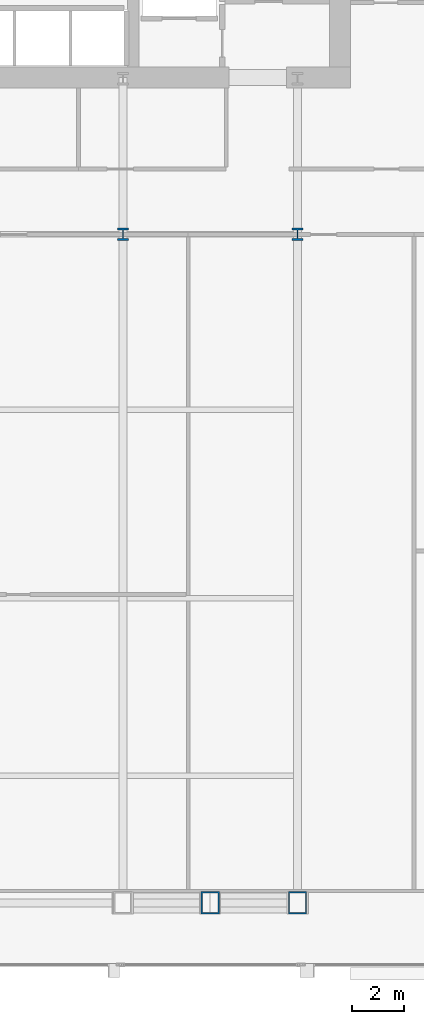
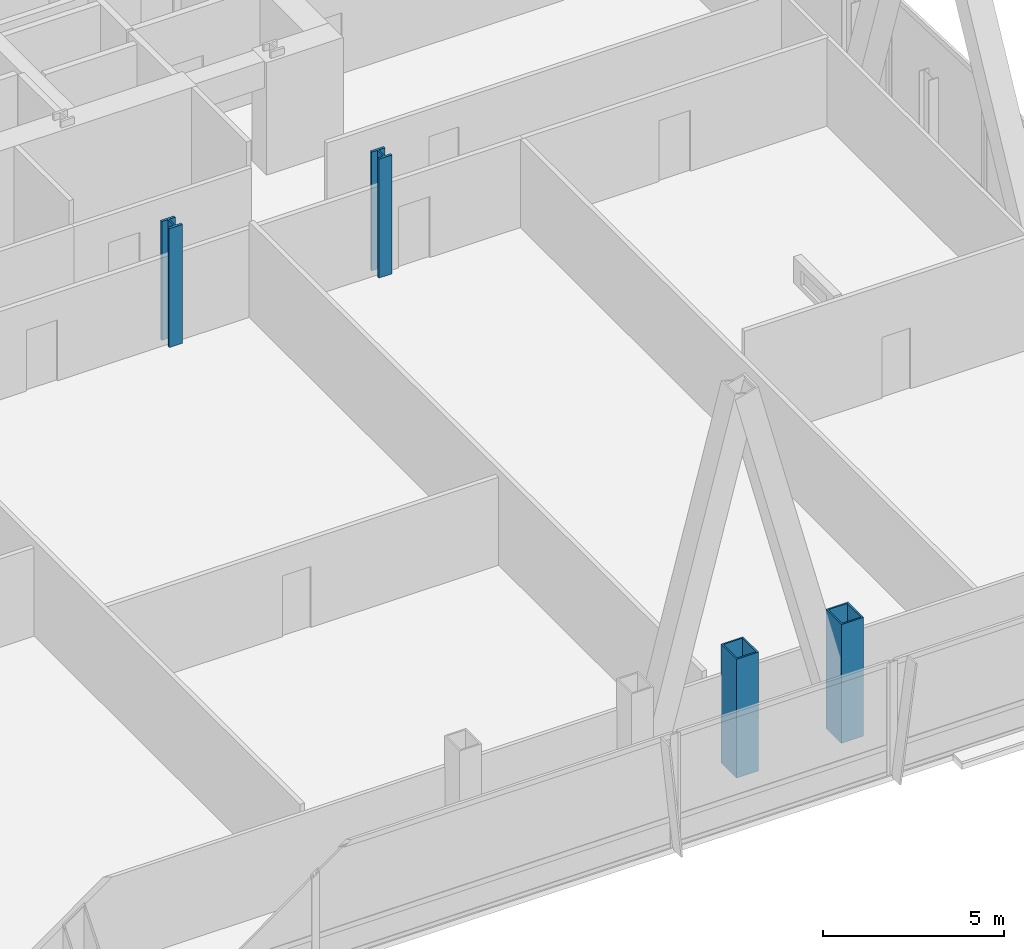
# One storey, part 2 of 32: 4 columns.
"""IFC4 building model written with IfcOpenShell, lengths in metres."""

from ifc_helpers import new_model, si_unit, direction, frame, origin, origin_2d, place, context, subcontext, project, spatial, hollow_rectangle, i_section, extrude, material, material_profile, profile_set, type_object, element, save


model = new_model("IFC4")

# Units and contexts
model_context = context("Model", 3, precision=1e-05, world=origin(), true_north=direction((0.0, 1.0)))
body_context = subcontext(model_context, "Body", "Model", "MODEL_VIEW")
ifc_project = project(units=[si_unit("LENGTHUNIT", "METRE"), si_unit("AREAUNIT", "SQUARE_METRE"), si_unit("VOLUMEUNIT", "CUBIC_METRE"), si_unit("PLANEANGLEUNIT", "RADIAN"), si_unit("MASSUNIT", "GRAM", prefix="KILO")], contexts=[model_context])

# Site, building, storey
site_placement = place(None, origin())
site = spatial("IfcSite", under=ifc_project, at=site_placement, CompositionType="ELEMENT")
building_placement = place(site_placement, origin())
building = spatial("IfcBuilding", under=site, at=building_placement, Name="Khoronbel Lancet Exchange", CompositionType="ELEMENT")
storey_placement = place(building_placement, frame((0.0, 0.0, 81.800048828125)))
storey = spatial("IfcBuildingStorey", under=building, at=storey_placement, Name="L19", CompositionType="ELEMENT", Elevation=81.800048828125)

# Columns
ifc_material = material(Name="Steel S460", Category="steel")
ifc_material_profile_1 = material_profile(ifc_material, hollow_rectangle(XDim=0.699951171875, YDim=0.85009765625, WallThickness=0.050048828125, at=origin_2d()), Name="BOX 850x700x50")
ifc_profile_set_1 = profile_set([ifc_material_profile_1], Name="Steel S460")
column_type_1 = type_object("IfcColumnType", Name="COL-EC2", PredefinedType="COLUMN", material=ifc_profile_set_1)
for number, where, z_axis, x_axis, name in (
    (1, (51.33740234375, 10.14990234375, 0.0), (0.0, 0.0, 1.0), (1.0, 0.0, 0.0), "Structural column SC-EM L19"),
    (2, (54.675048828125, 10.14990234375, 0.0), (0.0, 0.0, 1.0), (1.0, 0.0, 0.0), "Structural column SC-E2 L19"),
):
    element("IfcColumn", number, at=place(storey_placement, frame(where, z_axis=z_axis, x_axis=x_axis)), inside=storey, type_object=column_type_1, Name=name, PredefinedType="COLUMN", context=body_context, shape_type="SweptSolid", body=[
        extrude(hollow_rectangle(XDim=0.699951171875, YDim=0.85009765625, WallThickness=0.050048828125, at=origin_2d()), origin(), (0.0, 0.0, 1.0), 4.0),
    ])
ifc_material_profile_2 = material_profile(ifc_material, i_section(OverallWidth=0.424072265625, OverallDepth=0.47412109375, WebThickness=0.047607421875, FlangeThickness=0.076904296875, at=origin_2d()), Name="HD 400x634")
ifc_profile_set_2 = profile_set([ifc_material_profile_2], Name="Steel S460")
column_type_2 = type_object("IfcColumnType", Name="COL-IC1", PredefinedType="COLUMN", material=ifc_profile_set_2)
for number, where, z_axis, x_axis, name in (
    (3, (48.0, 35.699951171875, 0.0), (0.0, 0.0, 1.0), (1.0, 0.0, 0.0), "Spine gravity column TC3 L19"),
    (4, (54.675048828125, 35.699951171875, 0.0), (0.0, 0.0, 1.0), (1.0, 0.0, 0.0), "Spine gravity column TC4 L19"),
):
    element("IfcColumn", number, at=place(storey_placement, frame(where, z_axis=z_axis, x_axis=x_axis)), inside=storey, type_object=column_type_2, Name=name, PredefinedType="COLUMN", context=body_context, shape_type="SweptSolid", body=[
        extrude(i_section(OverallWidth=0.424072265625, OverallDepth=0.47412109375, WebThickness=0.047607421875, FlangeThickness=0.076904296875, at=origin_2d()), origin(), (0.0, 0.0, 1.0), 4.0),
    ])

save(model, "model.ifc")
